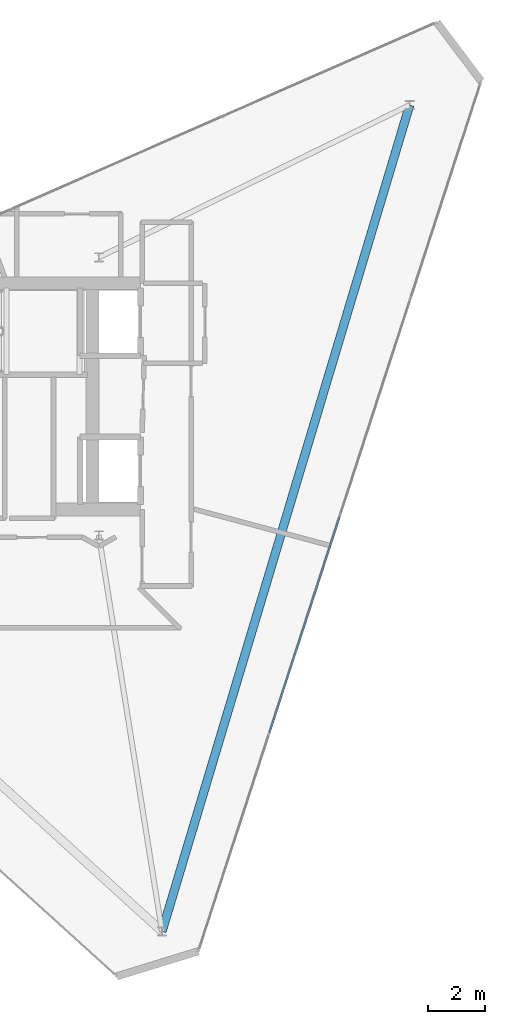
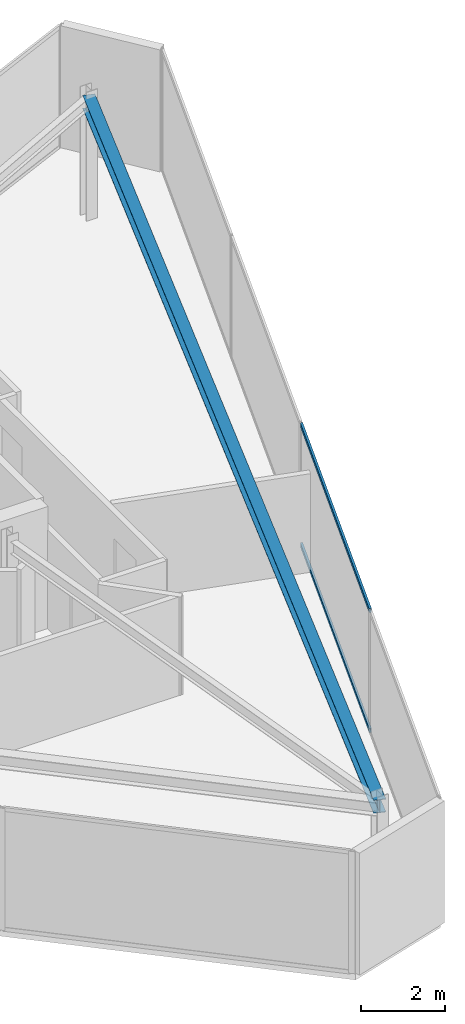
# One storey, part 6 of 14: 2 members, 1 beam, 1 element without a shape of its own.
"""IFC4 building model written with IfcOpenShell, lengths in metres."""

from ifc_helpers import new_model, si_unit, direction, frame, origin, origin_2d, place, context, subcontext, project, spatial, hollow_rectangle, i_section, extrude, material, layer, layer_set, material_profile, profile_set, type_object, element, aggregate, save


model = new_model("IFC4")

# Units and contexts
model_context = context("Model", 3, precision=1e-05, world=origin(), true_north=direction((0.0, 1.0)))
body_context = subcontext(model_context, "Body", "Model", "MODEL_VIEW")
ifc_project = project(units=[si_unit("LENGTHUNIT", "METRE"), si_unit("AREAUNIT", "SQUARE_METRE"), si_unit("VOLUMEUNIT", "CUBIC_METRE"), si_unit("PLANEANGLEUNIT", "RADIAN"), si_unit("MASSUNIT", "GRAM", prefix="KILO")], contexts=[model_context])

# Site, building, storey
site_placement = place(None, origin())
site = spatial("IfcSite", under=ifc_project, at=site_placement, CompositionType="ELEMENT")
building_placement = place(site_placement, origin())
building = spatial("IfcBuilding", under=site, at=building_placement, Name="Qianvela Tower", CompositionType="ELEMENT")
storey_placement = place(building_placement, frame((0.0, 0.0, 371.300048828125)))
storey = spatial("IfcBuildingStorey", under=building, at=storey_placement, Name="L96", CompositionType="ELEMENT", Elevation=371.300048828125)

# Beam
ifc_material_1 = material(Name="Steel Q355B", Category="steel")
ifc_material_profile_1 = material_profile(ifc_material_1, i_section(OverallWidth=0.300048828125, OverallDepth=0.389892578125, WebThickness=0.010009765625, FlangeThickness=0.01611328125, at=origin_2d()), Name="HM390x300x10x16")
ifc_profile_set_1 = profile_set([ifc_material_profile_1], Name="Steel Q355B")
beam_type = type_object("IfcBeamType", Name="BM-HM390-COLL", PredefinedType="BEAM", material=ifc_profile_set_1)
beam_placement = place(storey_placement, frame((49.248046875, 38.866943359375, 3.35302734375), z_axis=(-0.287106838651, -0.957898566237, 0.0), x_axis=(0.957898566237, -0.287106838651, 0.0)))
element("IfcBeam", 1, at=beam_placement, inside=storey, type_object=beam_type, Name="L96 Crown Perimeter Frame Girder 1", PredefinedType="BEAM", context=body_context, shape_type="SweptSolid", body=[
    extrude(i_section(OverallWidth=0.300048828125, OverallDepth=0.389892578125, WebThickness=0.010009765625, FlangeThickness=0.01611328125, at=origin_2d()), origin(), (0.0, 0.0, 1.0), 30.107421875),
])

# Curtain wall, members
ifc_material_2 = material(Name="Anodised Architectural Aluminium and Low-E Glass", Category="aluminium")
ifc_layer = layer(ifc_material_2, 0.159912109375)
ifc_layer_set = layer_set([ifc_layer], Name="Anodised Architectural Aluminium and Low-E Glass")
curtain_wall_type = type_object("IfcCurtainWallType", Name="CW-CROWN", PredefinedType="USERDEFINED", material=ifc_layer_set)
curtain_wall_placement = place(storey_placement, origin())
curtain_wall = element("IfcCurtainWall", 2, at=curtain_wall_placement, inside=storey, type_object=curtain_wall_type, Name="L96 CW-CROWN Curtain Wall 06", ObjectType="CURTAIN_WALL_SYSTEM", PredefinedType="USERDEFINED")
ifc_material_3 = material(Name="Anodised Architectural Aluminium 6063-T6", Category="aluminium")
ifc_material_profile_2 = material_profile(ifc_material_3, hollow_rectangle(XDim=0.06005859375, YDim=0.114990234375, WallThickness=0.00390625, at=origin_2d()), Name="ALU-TRAN-60x115")
ifc_profile_set_2 = profile_set([ifc_material_profile_2], Name="Anodised Architectural Aluminium 6063-T6")
member_type = type_object("IfcMemberType", Name="CW-CROWN-TRAN", PredefinedType="USERDEFINED", material=ifc_profile_set_2)
member_1_placement = place(storey_placement, frame((44.358154296875, 16.979248046875, 0.030029296875), z_axis=(0.309111249585, 0.951025885757, 0.0), x_axis=(-0.951025885757, 0.309111249585, 0.0)))
member_1 = element("IfcMember", 3, at=member_1_placement, type_object=member_type, Name="CW-8 transom 2.1", ObjectType="TRANSOM", PredefinedType="USERDEFINED", context=body_context, shape_type="SweptSolid", body=[
    extrude(hollow_rectangle(XDim=0.06005859375, YDim=0.114990234375, WallThickness=0.00390625, at=origin_2d()), origin(), (0.0, 0.0, 1.0), 7.893310546875),
])
member_2_placement = place(storey_placement, frame((44.358154296875, 16.979248046875, 3.52001953125), z_axis=(0.309111249585, 0.951025885757, 0.0), x_axis=(-0.951025885757, 0.309111249585, 0.0)))
member_2 = element("IfcMember", 4, at=member_2_placement, type_object=member_type, Name="CW-8 transom 2.2", ObjectType="TRANSOM", PredefinedType="USERDEFINED", context=body_context, shape_type="SweptSolid", body=[
    extrude(hollow_rectangle(XDim=0.06005859375, YDim=0.114990234375, WallThickness=0.00390625, at=origin_2d()), origin(), (0.0, 0.0, 1.0), 7.893310546875),
])
aggregate(curtain_wall, [member_1, member_2])

save(model, "model.ifc")
